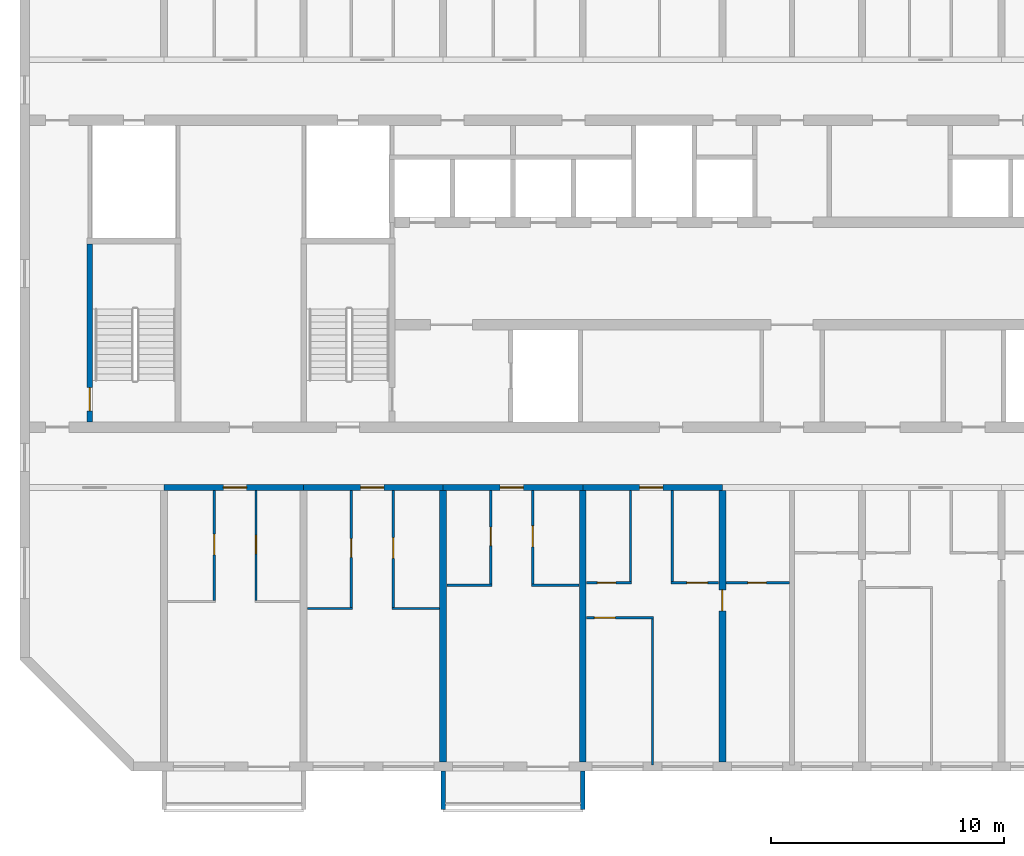
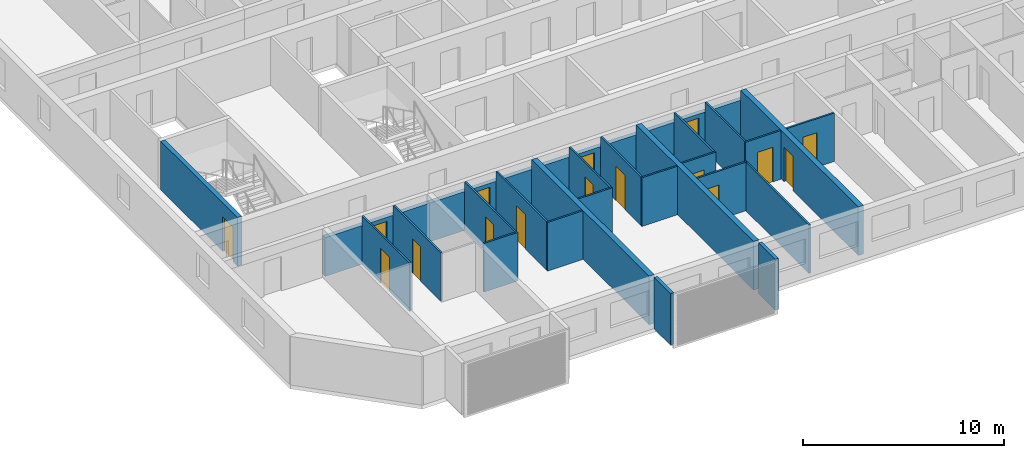
# One storey, part 2 of 26: 27 walls, 16 doors, 16 openings.
"""IFC4 building model written with IfcOpenShell, lengths in metres."""

from ifc_helpers import new_model, si_unit, direction, frame, frame_2d, origin, place, context, subcontext, project, spatial, polyline, rectangle, outline, extrude, source, transform, mapped, material, layer, layer_set, type_object, element, fill, save


model = new_model("IFC4")

# Units and contexts
model_context = context("Model", 3, precision=1e-05, world=origin(), true_north=direction((0.0, 1.0)))
body_context = subcontext(model_context, "Body", "Model", "MODEL_VIEW")
ifc_project = project(units=[si_unit("LENGTHUNIT", "METRE"), si_unit("AREAUNIT", "SQUARE_METRE"), si_unit("VOLUMEUNIT", "CUBIC_METRE"), si_unit("PLANEANGLEUNIT", "RADIAN"), si_unit("MASSUNIT", "GRAM", prefix="KILO")], contexts=[model_context])

# Site, building, storey
site_placement = place(None, origin())
site = spatial("IfcSite", under=ifc_project, at=site_placement, CompositionType="ELEMENT")
building_placement = place(site_placement, origin())
building = spatial("IfcBuilding", under=site, at=building_placement, Name="Poui Terraces", CompositionType="ELEMENT")
storey_placement = place(building_placement, frame((0.0, 0.0, 162.0)))
storey = spatial("IfcBuildingStorey", under=building, at=storey_placement, Name="L45", CompositionType="ELEMENT", Elevation=162.0)

# Wall, opening, door
ifc_material_1 = material(Name="Concrete 65 MPa", Category="concrete")
ifc_layer_1 = layer(ifc_material_1, 0.25)
ifc_layer_set_1 = layer_set([ifc_layer_1], Name="Concrete 65 MPa")
wall_type_1 = type_object("IfcWallType", Name="CORRIDOR WALL 250 65MPa", PredefinedType="SHEAR", material=ifc_layer_set_1)
wall_1_placement = place(storey_placement, frame((24.0, 12.0, 0.0), z_axis=(0.0, 0.0, 1.0), x_axis=(1.0, 0.0, 0.0)))
wall_1 = element("IfcWall", 1, at=wall_1_placement, inside=storey, type_object=wall_type_1, Name="CORRIDOR WALL LINE B BAY 2", PredefinedType="SHEAR", context=body_context, shape_type="SweptSolid", body=[
    extrude(rectangle(XDim=6.0, YDim=0.25, at=frame_2d((3.0, 0.0))), origin(), (0.0, 0.0, 1.0), 2.35009765625),
])
opening_1_placement = place(wall_1_placement, frame((2.550048828125, 0.0, 0.0)))
opening_1 = element("IfcOpeningElement", 2, at=opening_1_placement, cuts=wall_1, Name="Opening FD30S", PredefinedType="OPENING", context=body_context, shape_type="SweptSolid", body=[
    extrude(rectangle(XDim=1.0, YDim=2.10009765625, at=frame_2d((0.5, 1.050048828125))), frame((0.0, 0.135009765625, 0.0), z_axis=(0.0, -1.0, 0.0), x_axis=(1.0, 0.0, 0.0)), (0.0, 0.0, 1.0), 0.27001953125),
])
ifc_material_2 = material(Name="Steel fire door", Category="steel")
door_type_1 = type_object("IfcDoorType", Name="FLAT ENTRANCE DOOR 1000 X 2100", OperationType="NOTDEFINED", PredefinedType="DOOR", material=ifc_material_2)
door_1_placement = place(opening_1_placement, frame((1.0, 0.0, 0.0), z_axis=(0.0, 0.0, 1.0), x_axis=(-1.0, 0.0, 0.0)))
door_1 = element("IfcDoor", 3, at=door_1_placement, inside=storey, type_object=door_type_1, Name="FLAT ENTRANCE DOOR 062", OperationType="SINGLE_SWING_LEFT", OverallHeight=2.10009765625, OverallWidth=1.0, PredefinedType="DOOR", context=body_context, shape_type="SweptSolid", body=[
    extrude(rectangle(XDim=1.0, YDim=2.10009765625, at=frame_2d((0.5, 1.050048828125))), frame((0.0, 0.02490234375, 0.0), z_axis=(0.0, -1.0, 0.0), x_axis=(1.0, 0.0, 0.0)), (0.0, 0.0, 1.0), 0.050048828125),
])
fill(opening_1, door_1)

wall_2_placement = place(storey_placement, frame((30.0, 12.0, 0.0), z_axis=(0.0, 0.0, 1.0), x_axis=(1.0, 0.0, 0.0)))
wall_2 = element("IfcWall", 4, at=wall_2_placement, inside=storey, type_object=wall_type_1, Name="CORRIDOR WALL LINE B BAY 3", PredefinedType="SHEAR", context=body_context, shape_type="SweptSolid", body=[
    extrude(rectangle(XDim=6.0, YDim=0.25, at=frame_2d((3.0, 0.0))), origin(), (0.0, 0.0, 1.0), 2.35009765625),
])
opening_2_placement = place(wall_2_placement, frame((2.449951171875, 0.0, 0.0)))
opening_2 = element("IfcOpeningElement", 5, at=opening_2_placement, cuts=wall_2, Name="Opening FD30S", PredefinedType="OPENING", context=body_context, shape_type="SweptSolid", body=[
    extrude(rectangle(XDim=1.0, YDim=2.10009765625, at=frame_2d((0.5, 1.050048828125))), frame((0.0, 0.135009765625, 0.0), z_axis=(0.0, -1.0, 0.0), x_axis=(1.0, 0.0, 0.0)), (0.0, 0.0, 1.0), 0.27001953125),
])
door_2_placement = place(opening_2_placement, frame((1.0, 0.0, 0.0), z_axis=(0.0, 0.0, 1.0), x_axis=(-1.0, 0.0, 0.0)))
door_2 = element("IfcDoor", 6, at=door_2_placement, inside=storey, type_object=door_type_1, Name="FLAT ENTRANCE DOOR 065", OperationType="SINGLE_SWING_RIGHT", OverallHeight=2.10009765625, OverallWidth=1.0, PredefinedType="DOOR", context=body_context, shape_type="SweptSolid", body=[
    extrude(rectangle(XDim=1.0, YDim=2.10009765625, at=frame_2d((0.5, 1.050048828125))), frame((0.0, 0.02490234375, 0.0), z_axis=(0.0, -1.0, 0.0), x_axis=(1.0, 0.0, 0.0)), (0.0, 0.0, 1.0), 0.050048828125),
])
fill(opening_2, door_2)

wall_3_placement = place(storey_placement, frame((36.0, 12.0, 0.0), z_axis=(0.0, 0.0, 1.0), x_axis=(1.0, 0.0, 0.0)))
wall_3 = element("IfcWall", 7, at=wall_3_placement, inside=storey, type_object=wall_type_1, Name="CORRIDOR WALL LINE B BAY 4", PredefinedType="SHEAR", context=body_context, shape_type="SweptSolid", body=[
    extrude(rectangle(XDim=6.0, YDim=0.25, at=frame_2d((3.0, 0.0))), origin(), (0.0, 0.0, 1.0), 2.35009765625),
])
opening_3_placement = place(wall_3_placement, frame((2.449951171875, 0.0, 0.0)))
opening_3 = element("IfcOpeningElement", 8, at=opening_3_placement, cuts=wall_3, Name="Opening FD30S", PredefinedType="OPENING", context=body_context, shape_type="SweptSolid", body=[
    extrude(rectangle(XDim=1.0, YDim=2.10009765625, at=frame_2d((0.5, 1.050048828125))), frame((0.0, 0.135009765625, 0.0), z_axis=(0.0, -1.0, 0.0), x_axis=(1.0, 0.0, 0.0)), (0.0, 0.0, 1.0), 0.27001953125),
])
door_3_placement = place(opening_3_placement, frame((1.0, 0.0, 0.0), z_axis=(0.0, 0.0, 1.0), x_axis=(-1.0, 0.0, 0.0)))
door_3 = element("IfcDoor", 9, at=door_3_placement, inside=storey, type_object=door_type_1, Name="FLAT ENTRANCE DOOR 068", OperationType="SINGLE_SWING_RIGHT", OverallHeight=2.10009765625, OverallWidth=1.0, PredefinedType="DOOR", context=body_context, shape_type="SweptSolid", body=[
    extrude(rectangle(XDim=1.0, YDim=2.10009765625, at=frame_2d((0.5, 1.050048828125))), frame((0.0, 0.02490234375, 0.0), z_axis=(0.0, -1.0, 0.0), x_axis=(1.0, 0.0, 0.0)), (0.0, 0.0, 1.0), 0.050048828125),
])
fill(opening_3, door_3)

wall_4_placement = place(storey_placement, frame((42.0, 12.0, 0.0), z_axis=(0.0, 0.0, 1.0), x_axis=(1.0, 0.0, 0.0)))
wall_4 = element("IfcWall", 10, at=wall_4_placement, inside=storey, type_object=wall_type_1, Name="CORRIDOR WALL LINE B BAY 5", PredefinedType="SHEAR", context=body_context, shape_type="SweptSolid", body=[
    extrude(rectangle(XDim=6.0, YDim=0.25, at=frame_2d((3.0, 0.0))), origin(), (0.0, 0.0, 1.0), 2.35009765625),
])
opening_4_placement = place(wall_4_placement, frame((2.449951171875, 0.0, 0.0)))
opening_4 = element("IfcOpeningElement", 11, at=opening_4_placement, cuts=wall_4, Name="Opening FD30S", PredefinedType="OPENING", context=body_context, shape_type="SweptSolid", body=[
    extrude(rectangle(XDim=1.0, YDim=2.10009765625, at=frame_2d((0.5, 1.050048828125))), frame((0.0, 0.135009765625, 0.0), z_axis=(0.0, -1.0, 0.0), x_axis=(1.0, 0.0, 0.0)), (0.0, 0.0, 1.0), 0.27001953125),
])
door_4_placement = place(opening_4_placement, frame((1.0, 0.0, 0.0), z_axis=(0.0, 0.0, 1.0), x_axis=(-1.0, 0.0, 0.0)))
door_4 = element("IfcDoor", 12, at=door_4_placement, inside=storey, type_object=door_type_1, Name="FLAT ENTRANCE DOOR 073", OperationType="SINGLE_SWING_RIGHT", OverallHeight=2.10009765625, OverallWidth=1.0, PredefinedType="DOOR", context=body_context, shape_type="SweptSolid", body=[
    extrude(rectangle(XDim=1.0, YDim=2.10009765625, at=frame_2d((0.5, 1.050048828125))), frame((0.0, 0.02490234375, 0.0), z_axis=(0.0, -1.0, 0.0), x_axis=(1.0, 0.0, 0.0)), (0.0, 0.0, 1.0), 0.050048828125),
])
fill(opening_4, door_4)

# Walls
ifc_layer_2 = layer(ifc_material_1, 0.300048828125)
ifc_layer_set_2 = layer_set([ifc_layer_2], Name="Concrete 65 MPa")
wall_type_2 = type_object("IfcWallType", Name="CROSS WALL 300 65MPa", PredefinedType="SHEAR", material=ifc_layer_set_2)
for number, where, z_axis, x_axis, name in (
    (13, (36.0, 0.199951171875, 0.0), (0.0, 0.0, 1.0), (0.0, 1.0, 0.0), "CROSS WALL LINE 7 SOUTH"),
    (14, (42.0, 0.199951171875, 0.0), (0.0, 0.0, 1.0), (0.0, 1.0, 0.0), "CROSS WALL LINE 8 SOUTH"),
):
    element("IfcWall", number, at=place(storey_placement, frame(where, z_axis=z_axis, x_axis=x_axis)), inside=storey, type_object=wall_type_2, Name=name, PredefinedType="SHEAR", context=body_context, shape_type="SweptSolid", body=[
        extrude(rectangle(XDim=11.675048828125, YDim=0.300048828125, at=frame_2d((5.83740234375, 0.0))), origin(), (0.0, 0.0, 1.0), 2.949951171875),
    ])

# Wall, opening, door
wall_5_placement = place(storey_placement, frame((48.0, 0.199951171875, 0.0), z_axis=(0.0, 0.0, 1.0), x_axis=(0.0, 1.0, 0.0)))
wall_5 = element("IfcWall", 15, at=wall_5_placement, inside=storey, type_object=wall_type_2, Name="CROSS WALL LINE 9 SOUTH", PredefinedType="SHEAR", context=body_context, shape_type="SweptSolid", body=[
    extrude(rectangle(XDim=11.675048828125, YDim=0.300048828125, at=frame_2d((5.83740234375, 0.0))), origin(), (0.0, 0.0, 1.0), 2.949951171875),
])
opening_5_placement = place(wall_5_placement, frame((6.5, 0.0, 0.0)))
opening_5 = element("IfcOpeningElement", 16, at=opening_5_placement, cuts=wall_5, Name="Opening D90", PredefinedType="OPENING", context=body_context, shape_type="SweptSolid", body=[
    extrude(rectangle(XDim=0.89990234375, YDim=2.10009765625, at=frame_2d((0.449951171875, 1.050048828125))), frame((0.0, 0.16015625, 0.0), z_axis=(0.0, -1.0, 0.0), x_axis=(1.0, 0.0, 0.0)), (0.0, 0.0, 1.0), 0.320068359375),
])
ifc_material_3 = material(Name="Solid core timber door", Category="wood")
door_type_2 = type_object("IfcDoorType", Name="INTERNAL DOOR 900 X 2100", OperationType="NOTDEFINED", PredefinedType="DOOR", material=ifc_material_3)
door_5_placement = place(opening_5_placement, frame((0.89990234375, 0.0, 0.0), z_axis=(0.0, 0.0, 1.0), x_axis=(-1.0, 0.0, 0.0)))
door_5 = element("IfcDoor", 17, at=door_5_placement, inside=storey, type_object=door_type_2, Name="INTERNAL DOOR 075", OperationType="SINGLE_SWING_LEFT", OverallHeight=2.10009765625, OverallWidth=0.89990234375, PredefinedType="DOOR", context=body_context, shape_type="SweptSolid", body=[
    extrude(rectangle(XDim=0.89990234375, YDim=2.10009765625, at=frame_2d((0.449951171875, 1.050048828125))), frame((0.0, 0.02490234375, 0.0), z_axis=(0.0, -1.0, 0.0), x_axis=(1.0, 0.0, 0.0)), (0.0, 0.0, 1.0), 0.050048828125),
])
fill(opening_5, door_5)

ifc_material_4 = material(Name="Plasterboard partition")
ifc_layer_3 = layer(ifc_material_4, 0.10009765625)
ifc_layer_set_3 = layer_set([ifc_layer_3], Name="Plasterboard partition")
wall_type_3 = type_object("IfcWallType", Name="FLAT PARTITION 100", PredefinedType="PARTITIONING", material=ifc_layer_set_3)
wall_6_placement = place(storey_placement, frame((42.159912109375, 6.39990234375, 0.0), z_axis=(0.0, 0.0, 1.0), x_axis=(1.0, 0.0, 0.0)))
wall_6 = element("IfcWall", 18, at=wall_6_placement, inside=storey, type_object=wall_type_3, Name="FLAT PARTITION 100", PredefinedType="PARTITIONING", context=body_context, shape_type="SweptSolid", body=[
    extrude(rectangle(XDim=2.89013671875, YDim=0.10009765625, at=frame_2d((1.445068359375, 0.0))), origin(), (0.0, 0.0, 1.0), 2.949951171875),
])
opening_6_placement = place(wall_6_placement, frame((0.340087890625, 0.0, 0.0)))
opening_6 = element("IfcOpeningElement", 19, at=opening_6_placement, cuts=wall_6, Name="Opening D90", PredefinedType="OPENING", context=body_context, shape_type="SweptSolid", body=[
    extrude(rectangle(XDim=0.89990234375, YDim=2.10009765625, at=frame_2d((0.449951171875, 1.050048828125))), frame((0.0, 0.06005859375, 0.0), z_axis=(0.0, -1.0, 0.0), x_axis=(1.0, 0.0, 0.0)), (0.0, 0.0, 1.0), 0.1201171875),
])
door_6_placement = place(opening_6_placement, origin())
door_6 = element("IfcDoor", 20, at=door_6_placement, inside=storey, type_object=door_type_2, Name="INTERNAL DOOR 071", OperationType="SINGLE_SWING_RIGHT", OverallHeight=2.10009765625, OverallWidth=0.89990234375, PredefinedType="DOOR", context=body_context, shape_type="SweptSolid", body=[
    extrude(rectangle(XDim=0.89990234375, YDim=2.10009765625, at=frame_2d((0.449951171875, 1.050048828125))), frame((0.0, 0.02490234375, 0.0), z_axis=(0.0, -1.0, 0.0), x_axis=(1.0, 0.0, 0.0)), (0.0, 0.0, 1.0), 0.050048828125),
])
fill(opening_6, door_6)

# Walls
wall_7_placement = place(storey_placement, frame((30.159912109375, 6.800048828125, 0.0), z_axis=(0.0, 0.0, 1.0), x_axis=(1.0, 0.0, 0.0)))
element("IfcWall", 21, at=wall_7_placement, inside=storey, type_object=wall_type_3, Name="FLAT PARTITION 100", PredefinedType="PARTITIONING", context=body_context, shape_type="SweptSolid", body=[
    extrude(rectangle(XDim=1.940185546875, YDim=0.10009765625, at=frame_2d((0.97021484375, 0.0))), origin(), (0.0, 0.0, 1.0), 2.949951171875),
])
wall_8_placement = place(storey_placement, frame((33.800048828125, 6.800048828125, 0.0), z_axis=(0.0, 0.0, 1.0), x_axis=(1.0, 0.0, 0.0)))
element("IfcWall", 22, at=wall_8_placement, inside=storey, type_object=wall_type_3, Name="FLAT PARTITION 100", PredefinedType="PARTITIONING", context=body_context, shape_type="SweptSolid", body=[
    extrude(rectangle(XDim=2.0400390625, YDim=0.10009765625, at=frame_2d((1.02001953125, 0.0))), origin(), (0.0, 0.0, 1.0), 2.949951171875),
])
wall_9_placement = place(storey_placement, frame((36.159912109375, 7.800048828125, 0.0), z_axis=(0.0, 0.0, 1.0), x_axis=(1.0, 0.0, 0.0)))
element("IfcWall", 23, at=wall_9_placement, inside=storey, type_object=wall_type_3, Name="FLAT PARTITION 100", PredefinedType="PARTITIONING", context=body_context, shape_type="SweptSolid", body=[
    extrude(rectangle(XDim=1.940185546875, YDim=0.10009765625, at=frame_2d((0.97021484375, 0.0))), origin(), (0.0, 0.0, 1.0), 2.949951171875),
])
wall_10_placement = place(storey_placement, frame((39.800048828125, 7.800048828125, 0.0), z_axis=(0.0, 0.0, 1.0), x_axis=(1.0, 0.0, 0.0)))
element("IfcWall", 24, at=wall_10_placement, inside=storey, type_object=wall_type_3, Name="FLAT PARTITION 100", PredefinedType="PARTITIONING", context=body_context, shape_type="SweptSolid", body=[
    extrude(rectangle(XDim=2.0400390625, YDim=0.10009765625, at=frame_2d((1.02001953125, 0.0))), origin(), (0.0, 0.0, 1.0), 2.949951171875),
])

# Wall, opening, door
wall_11_placement = place(storey_placement, frame((42.159912109375, 7.89990234375, 0.0), z_axis=(0.0, 0.0, 1.0), x_axis=(1.0, 0.0, 0.0)))
wall_11 = element("IfcWall", 25, at=wall_11_placement, inside=storey, type_object=wall_type_3, Name="FLAT PARTITION 100", PredefinedType="PARTITIONING", context=body_context, shape_type="SweptSolid", body=[
    extrude(rectangle(XDim=1.940185546875, YDim=0.10009765625, at=frame_2d((0.97021484375, 0.0))), origin(), (0.0, 0.0, 1.0), 2.949951171875),
])
opening_7_placement = place(wall_11_placement, frame((0.465087890625, 0.0, 0.0)))
opening_7 = element("IfcOpeningElement", 26, at=opening_7_placement, cuts=wall_11, Name="Opening D80", PredefinedType="OPENING", context=body_context, shape_type="SweptSolid", body=[
    extrude(rectangle(XDim=0.800048828125, YDim=2.10009765625, at=frame_2d((0.39990234375, 1.050048828125))), frame((0.0, 0.06005859375, 0.0), z_axis=(0.0, -1.0, 0.0), x_axis=(1.0, 0.0, 0.0)), (0.0, 0.0, 1.0), 0.1201171875),
])
door_type_3 = type_object("IfcDoorType", Name="BATHROOM, LAUNDRY AND STORE DOOR 800 X 2100", OperationType="NOTDEFINED", PredefinedType="DOOR", material=ifc_material_3)
door_7_placement = place(opening_7_placement, origin())
door_7 = element("IfcDoor", 27, at=door_7_placement, inside=storey, type_object=door_type_3, Name="BATHROOM, LAUNDRY AND STORE DOOR 072", OperationType="SINGLE_SWING_LEFT", OverallHeight=2.10009765625, OverallWidth=0.800048828125, PredefinedType="DOOR", context=body_context, shape_type="SweptSolid", body=[
    extrude(rectangle(XDim=0.800048828125, YDim=2.10009765625, at=frame_2d((0.39990234375, 1.050048828125))), frame((0.0, 0.02490234375, 0.0), z_axis=(0.0, -1.0, 0.0), x_axis=(1.0, 0.0, 0.0)), (0.0, 0.0, 1.0), 0.050048828125),
])
fill(opening_7, door_7)

wall_12_placement = place(storey_placement, frame((45.800048828125, 7.89990234375, 0.0), z_axis=(0.0, 0.0, 1.0), x_axis=(1.0, 0.0, 0.0)))
wall_12 = element("IfcWall", 28, at=wall_12_placement, inside=storey, type_object=wall_type_3, Name="FLAT PARTITION 100", PredefinedType="PARTITIONING", context=body_context, shape_type="SweptSolid", body=[
    extrude(rectangle(XDim=2.0400390625, YDim=0.10009765625, at=frame_2d((1.02001953125, 0.0))), origin(), (0.0, 0.0, 1.0), 2.949951171875),
])
opening_8_placement = place(wall_12_placement, frame((0.675048828125, 0.0, 0.0)))
opening_8 = element("IfcOpeningElement", 29, at=opening_8_placement, cuts=wall_12, Name="Opening D90", PredefinedType="OPENING", context=body_context, shape_type="SweptSolid", body=[
    extrude(rectangle(XDim=0.89990234375, YDim=2.10009765625, at=frame_2d((0.449951171875, 1.050048828125))), frame((0.0, 0.06005859375, 0.0), z_axis=(0.0, -1.0, 0.0), x_axis=(1.0, 0.0, 0.0)), (0.0, 0.0, 1.0), 0.1201171875),
])
door_8_placement = place(opening_8_placement, origin())
door_8 = element("IfcDoor", 30, at=door_8_placement, inside=storey, type_object=door_type_2, Name="INTERNAL DOOR 074", OperationType="SINGLE_SWING_RIGHT", OverallHeight=2.10009765625, OverallWidth=0.89990234375, PredefinedType="DOOR", context=body_context, shape_type="SweptSolid", body=[
    extrude(rectangle(XDim=0.89990234375, YDim=2.10009765625, at=frame_2d((0.449951171875, 1.050048828125))), frame((0.0, 0.02490234375, 0.0), z_axis=(0.0, -1.0, 0.0), x_axis=(1.0, 0.0, 0.0)), (0.0, 0.0, 1.0), 0.050048828125),
])
fill(opening_8, door_8)

wall_13_placement = place(storey_placement, frame((48.159912109375, 7.89990234375, 0.0), z_axis=(0.0, 0.0, 1.0), x_axis=(1.0, 0.0, 0.0)))
wall_13 = element("IfcWall", 31, at=wall_13_placement, inside=storey, type_object=wall_type_3, Name="FLAT PARTITION 100", PredefinedType="PARTITIONING", context=body_context, shape_type="SweptSolid", body=[
    extrude(rectangle(XDim=2.739990234375, YDim=0.10009765625, at=frame_2d((1.3701171875, 0.0))), origin(), (0.0, 0.0, 1.0), 2.949951171875),
])
opening_9_placement = place(wall_13_placement, frame((0.93994140625, 0.0, 0.0)))
opening_9 = element("IfcOpeningElement", 32, at=opening_9_placement, cuts=wall_13, Name="Opening D80", PredefinedType="OPENING", context=body_context, shape_type="SweptSolid", body=[
    extrude(rectangle(XDim=0.800048828125, YDim=2.10009765625, at=frame_2d((0.39990234375, 1.050048828125))), frame((0.0, 0.06005859375, 0.0), z_axis=(0.0, -1.0, 0.0), x_axis=(1.0, 0.0, 0.0)), (0.0, 0.0, 1.0), 0.1201171875),
])
door_9_placement = place(opening_9_placement, origin())
door_9 = element("IfcDoor", 33, at=door_9_placement, inside=storey, type_object=door_type_3, Name="BATHROOM, LAUNDRY AND STORE DOOR 070", OperationType="SINGLE_SWING_LEFT", OverallHeight=2.10009765625, OverallWidth=0.800048828125, PredefinedType="DOOR", context=body_context, shape_type="SweptSolid", body=[
    extrude(rectangle(XDim=0.800048828125, YDim=2.10009765625, at=frame_2d((0.39990234375, 1.050048828125))), frame((0.0, 0.02490234375, 0.0), z_axis=(0.0, -1.0, 0.0), x_axis=(1.0, 0.0, 0.0)), (0.0, 0.0, 1.0), 0.050048828125),
])
fill(opening_9, door_9)

wall_14_placement = place(storey_placement, frame((26.14990234375, 7.14990234375, 0.0), z_axis=(0.0, 0.0, 1.0), x_axis=(0.0, 1.0, 0.0)))
wall_14 = element("IfcWall", 34, at=wall_14_placement, inside=storey, type_object=wall_type_3, Name="FLAT PARTITION 100", PredefinedType="PARTITIONING", context=body_context, shape_type="SweptSolid", body=[
    extrude(rectangle(XDim=4.715087890625, YDim=0.10009765625, at=frame_2d((2.357421875, 0.0))), origin(), (0.0, 0.0, 1.0), 2.949951171875),
])
opening_10_placement = place(wall_14_placement, frame((1.949951171875, 0.0, 0.0)))
opening_10 = element("IfcOpeningElement", 35, at=opening_10_placement, cuts=wall_14, Name="Opening D90", PredefinedType="OPENING", context=body_context, shape_type="SweptSolid", body=[
    extrude(rectangle(XDim=0.89990234375, YDim=2.10009765625, at=frame_2d((0.449951171875, 1.050048828125))), frame((0.0, 0.06005859375, 0.0), z_axis=(0.0, -1.0, 0.0), x_axis=(1.0, 0.0, 0.0)), (0.0, 0.0, 1.0), 0.1201171875),
])
door_10_placement = place(opening_10_placement, origin())
door_10 = element("IfcDoor", 36, at=door_10_placement, inside=storey, type_object=door_type_2, Name="INTERNAL DOOR 061", OperationType="SINGLE_SWING_LEFT", OverallHeight=2.10009765625, OverallWidth=0.89990234375, PredefinedType="DOOR", context=body_context, shape_type="SweptSolid", body=[
    extrude(rectangle(XDim=0.89990234375, YDim=2.10009765625, at=frame_2d((0.449951171875, 1.050048828125))), frame((0.0, 0.02490234375, 0.0), z_axis=(0.0, -1.0, 0.0), x_axis=(1.0, 0.0, 0.0)), (0.0, 0.0, 1.0), 0.050048828125),
])
fill(opening_10, door_10)

wall_15_placement = place(storey_placement, frame((27.949951171875, 7.14990234375, 0.0), z_axis=(0.0, 0.0, 1.0), x_axis=(0.0, 1.0, 0.0)))
wall_15 = element("IfcWall", 37, at=wall_15_placement, inside=storey, type_object=wall_type_3, Name="FLAT PARTITION 100", PredefinedType="PARTITIONING", context=body_context, shape_type="SweptSolid", body=[
    extrude(rectangle(XDim=4.715087890625, YDim=0.10009765625, at=frame_2d((2.357421875, 0.0))), origin(), (0.0, 0.0, 1.0), 2.949951171875),
])
opening_11_placement = place(wall_15_placement, frame((2.0, 0.0, 0.0)))
opening_11 = element("IfcOpeningElement", 38, at=opening_11_placement, cuts=wall_15, Name="Opening D80", PredefinedType="OPENING", context=body_context, shape_type="SweptSolid", body=[
    extrude(rectangle(XDim=0.800048828125, YDim=2.10009765625, at=frame_2d((0.39990234375, 1.050048828125))), frame((0.0, 0.06005859375, 0.0), z_axis=(0.0, -1.0, 0.0), x_axis=(1.0, 0.0, 0.0)), (0.0, 0.0, 1.0), 0.1201171875),
])
door_11_placement = place(opening_11_placement, frame((0.800048828125, 0.0, 0.0), z_axis=(0.0, 0.0, 1.0), x_axis=(-1.0, 0.0, 0.0)))
door_11 = element("IfcDoor", 39, at=door_11_placement, inside=storey, type_object=door_type_3, Name="BATHROOM, LAUNDRY AND STORE DOOR 063", OperationType="SINGLE_SWING_LEFT", OverallHeight=2.10009765625, OverallWidth=0.800048828125, PredefinedType="DOOR", context=body_context, shape_type="SweptSolid", body=[
    extrude(rectangle(XDim=0.800048828125, YDim=2.10009765625, at=frame_2d((0.39990234375, 1.050048828125))), frame((0.0, 0.02490234375, 0.0), z_axis=(0.0, -1.0, 0.0), x_axis=(1.0, 0.0, 0.0)), (0.0, 0.0, 1.0), 0.050048828125),
])
fill(opening_11, door_11)

wall_16_placement = place(storey_placement, frame((32.050048828125, 6.85009765625, 0.0), z_axis=(0.0, 0.0, 1.0), x_axis=(0.0, 1.0, 0.0)))
wall_16 = element("IfcWall", 40, at=wall_16_placement, inside=storey, type_object=wall_type_3, Name="FLAT PARTITION 100", PredefinedType="PARTITIONING", context=body_context, shape_type="SweptSolid", body=[
    extrude(rectangle(XDim=5.014892578125, YDim=0.10009765625, at=frame_2d((2.50732421875, 0.0))), origin(), (0.0, 0.0, 1.0), 2.949951171875),
])
opening_12_placement = place(wall_16_placement, frame((2.14990234375, 0.0, 0.0)))
opening_12 = element("IfcOpeningElement", 41, at=opening_12_placement, cuts=wall_16, Name="Opening D80", PredefinedType="OPENING", context=body_context, shape_type="SweptSolid", body=[
    extrude(rectangle(XDim=0.800048828125, YDim=2.10009765625, at=frame_2d((0.39990234375, 1.050048828125))), frame((0.0, 0.06005859375, 0.0), z_axis=(0.0, -1.0, 0.0), x_axis=(1.0, 0.0, 0.0)), (0.0, 0.0, 1.0), 0.1201171875),
])
door_12_placement = place(opening_12_placement, origin())
door_12 = element("IfcDoor", 42, at=door_12_placement, inside=storey, type_object=door_type_3, Name="BATHROOM, LAUNDRY AND STORE DOOR 064", OperationType="SINGLE_SWING_RIGHT", OverallHeight=2.10009765625, OverallWidth=0.800048828125, PredefinedType="DOOR", context=body_context, shape_type="SweptSolid", body=[
    extrude(rectangle(XDim=0.800048828125, YDim=2.10009765625, at=frame_2d((0.39990234375, 1.050048828125))), frame((0.0, 0.02490234375, 0.0), z_axis=(0.0, -1.0, 0.0), x_axis=(1.0, 0.0, 0.0)), (0.0, 0.0, 1.0), 0.050048828125),
])
fill(opening_12, door_12)

wall_17_placement = place(storey_placement, frame((33.85009765625, 6.85009765625, 0.0), z_axis=(0.0, 0.0, 1.0), x_axis=(0.0, 1.0, 0.0)))
wall_17 = element("IfcWall", 43, at=wall_17_placement, inside=storey, type_object=wall_type_3, Name="FLAT PARTITION 100", PredefinedType="PARTITIONING", context=body_context, shape_type="SweptSolid", body=[
    extrude(rectangle(XDim=5.014892578125, YDim=0.10009765625, at=frame_2d((2.50732421875, 0.0))), origin(), (0.0, 0.0, 1.0), 2.949951171875),
])
opening_13_placement = place(wall_17_placement, frame((2.10009765625, 0.0, 0.0)))
opening_13 = element("IfcOpeningElement", 44, at=opening_13_placement, cuts=wall_17, Name="Opening D90", PredefinedType="OPENING", context=body_context, shape_type="SweptSolid", body=[
    extrude(rectangle(XDim=0.89990234375, YDim=2.10009765625, at=frame_2d((0.449951171875, 1.050048828125))), frame((0.0, 0.06005859375, 0.0), z_axis=(0.0, -1.0, 0.0), x_axis=(1.0, 0.0, 0.0)), (0.0, 0.0, 1.0), 0.1201171875),
])
door_13_placement = place(opening_13_placement, frame((0.89990234375, 0.0, 0.0), z_axis=(0.0, 0.0, 1.0), x_axis=(-1.0, 0.0, 0.0)))
door_13 = element("IfcDoor", 45, at=door_13_placement, inside=storey, type_object=door_type_2, Name="INTERNAL DOOR 066", OperationType="SINGLE_SWING_RIGHT", OverallHeight=2.10009765625, OverallWidth=0.89990234375, PredefinedType="DOOR", context=body_context, shape_type="SweptSolid", body=[
    extrude(rectangle(XDim=0.89990234375, YDim=2.10009765625, at=frame_2d((0.449951171875, 1.050048828125))), frame((0.0, 0.02490234375, 0.0), z_axis=(0.0, -1.0, 0.0), x_axis=(1.0, 0.0, 0.0)), (0.0, 0.0, 1.0), 0.050048828125),
])
fill(opening_13, door_13)

wall_18_placement = place(storey_placement, frame((38.050048828125, 7.85009765625, 0.0), z_axis=(0.0, 0.0, 1.0), x_axis=(0.0, 1.0, 0.0)))
wall_18 = element("IfcWall", 46, at=wall_18_placement, inside=storey, type_object=wall_type_3, Name="FLAT PARTITION 100", PredefinedType="PARTITIONING", context=body_context, shape_type="SweptSolid", body=[
    extrude(rectangle(XDim=4.014892578125, YDim=0.10009765625, at=frame_2d((2.00732421875, 0.0))), origin(), (0.0, 0.0, 1.0), 2.949951171875),
])
opening_14_placement = place(wall_18_placement, frame((1.64990234375, 0.0, 0.0)))
opening_14 = element("IfcOpeningElement", 47, at=opening_14_placement, cuts=wall_18, Name="Opening D80", PredefinedType="OPENING", context=body_context, shape_type="SweptSolid", body=[
    extrude(rectangle(XDim=0.800048828125, YDim=2.10009765625, at=frame_2d((0.39990234375, 1.050048828125))), frame((0.0, 0.06005859375, 0.0), z_axis=(0.0, -1.0, 0.0), x_axis=(1.0, 0.0, 0.0)), (0.0, 0.0, 1.0), 0.1201171875),
])
door_14_placement = place(opening_14_placement, origin())
door_14 = element("IfcDoor", 48, at=door_14_placement, inside=storey, type_object=door_type_3, Name="BATHROOM, LAUNDRY AND STORE DOOR 067", OperationType="SINGLE_SWING_LEFT", OverallHeight=2.10009765625, OverallWidth=0.800048828125, PredefinedType="DOOR", context=body_context, shape_type="SweptSolid", body=[
    extrude(rectangle(XDim=0.800048828125, YDim=2.10009765625, at=frame_2d((0.39990234375, 1.050048828125))), frame((0.0, 0.02490234375, 0.0), z_axis=(0.0, -1.0, 0.0), x_axis=(1.0, 0.0, 0.0)), (0.0, 0.0, 1.0), 0.050048828125),
])
fill(opening_14, door_14)

wall_19_placement = place(storey_placement, frame((39.85009765625, 7.85009765625, 0.0), z_axis=(0.0, 0.0, 1.0), x_axis=(0.0, 1.0, 0.0)))
wall_19 = element("IfcWall", 49, at=wall_19_placement, inside=storey, type_object=wall_type_3, Name="FLAT PARTITION 100", PredefinedType="PARTITIONING", context=body_context, shape_type="SweptSolid", body=[
    extrude(rectangle(XDim=4.014892578125, YDim=0.10009765625, at=frame_2d((2.00732421875, 0.0))), origin(), (0.0, 0.0, 1.0), 2.949951171875),
])
opening_15_placement = place(wall_19_placement, frame((1.60009765625, 0.0, 0.0)))
opening_15 = element("IfcOpeningElement", 50, at=opening_15_placement, cuts=wall_19, Name="Opening D90", PredefinedType="OPENING", context=body_context, shape_type="SweptSolid", body=[
    extrude(rectangle(XDim=0.89990234375, YDim=2.10009765625, at=frame_2d((0.449951171875, 1.050048828125))), frame((0.0, 0.06005859375, 0.0), z_axis=(0.0, -1.0, 0.0), x_axis=(1.0, 0.0, 0.0)), (0.0, 0.0, 1.0), 0.1201171875),
])
door_15_placement = place(opening_15_placement, frame((0.89990234375, 0.0, 0.0), z_axis=(0.0, 0.0, 1.0), x_axis=(-1.0, 0.0, 0.0)))
door_15 = element("IfcDoor", 51, at=door_15_placement, inside=storey, type_object=door_type_2, Name="INTERNAL DOOR 069", OperationType="SINGLE_SWING_LEFT", OverallHeight=2.10009765625, OverallWidth=0.89990234375, PredefinedType="DOOR", context=body_context, shape_type="SweptSolid", body=[
    extrude(rectangle(XDim=0.89990234375, YDim=2.10009765625, at=frame_2d((0.449951171875, 1.050048828125))), frame((0.0, 0.02490234375, 0.0), z_axis=(0.0, -1.0, 0.0), x_axis=(1.0, 0.0, 0.0)), (0.0, 0.0, 1.0), 0.050048828125),
])
fill(opening_15, door_15)

# Walls
wall_20_placement = place(storey_placement, frame((44.050048828125, 7.949951171875, 0.0), z_axis=(0.0, 0.0, 1.0), x_axis=(0.0, 1.0, 0.0)))
element("IfcWall", 52, at=wall_20_placement, inside=storey, type_object=wall_type_3, Name="FLAT PARTITION 100", PredefinedType="PARTITIONING", context=body_context, shape_type="SweptSolid", body=[
    extrude(rectangle(XDim=3.9150390625, YDim=0.10009765625, at=frame_2d((1.95751953125, 0.0))), origin(), (0.0, 0.0, 1.0), 2.949951171875),
])
wall_21_placement = place(storey_placement, frame((45.0, 0.06005859375, 0.0), z_axis=(0.0, 0.0, 1.0), x_axis=(0.0, 1.0, 0.0)))
element("IfcWall", 53, at=wall_21_placement, inside=storey, type_object=wall_type_3, Name="FLAT PARTITION 100", PredefinedType="PARTITIONING", context=body_context, shape_type="SweptSolid", body=[
    extrude(rectangle(XDim=6.2900390625, YDim=0.10009765625, at=frame_2d((3.14501953125, 0.0))), origin(), (0.0, 0.0, 1.0), 2.949951171875),
])
wall_22_placement = place(storey_placement, frame((45.85009765625, 7.949951171875, 0.0), z_axis=(0.0, 0.0, 1.0), x_axis=(0.0, 1.0, 0.0)))
element("IfcWall", 54, at=wall_22_placement, inside=storey, type_object=wall_type_3, Name="FLAT PARTITION 100", PredefinedType="PARTITIONING", context=body_context, shape_type="SweptSolid", body=[
    extrude(rectangle(XDim=3.9150390625, YDim=0.10009765625, at=frame_2d((1.95751953125, 0.0))), origin(), (0.0, 0.0, 1.0), 2.949951171875),
])

# Wall, opening, door
ifc_layer_4 = layer(ifc_material_1, 0.25)
ifc_layer_set_4 = layer_set([ifc_layer_4], Name="Concrete 65 MPa")
wall_type_4 = type_object("IfcWallType", Name="STAIR CORE WALL 250 65 MPA", PredefinedType="SOLIDWALL", material=ifc_layer_set_4)
wall_23_placement = place(storey_placement, frame((20.800048828125, 14.824951171875, 0.0), z_axis=(0.0, 0.0, 1.0), x_axis=(0.0, 1.0, 0.0)))
wall_23 = element("IfcWall", 55, at=wall_23_placement, inside=storey, type_object=wall_type_4, Name="STAIR CORE WALL", PredefinedType="SOLIDWALL", context=body_context, shape_type="SweptSolid", body=[
    extrude(rectangle(XDim=7.650146484375, YDim=0.25, at=frame_2d((3.8251953125, 0.0))), origin(), (0.0, 0.0, 1.0), 2.949951171875),
])
opening_16_placement = place(wall_23_placement, frame((0.47509765625, 0.0, 0.0)))
opening_16 = element("IfcOpeningElement", 56, at=opening_16_placement, cuts=wall_23, Name="Opening FD60S", PredefinedType="OPENING", context=body_context, shape_type="SweptSolid", body=[
    extrude(rectangle(XDim=1.0, YDim=2.10009765625, at=frame_2d((0.5, 1.050048828125))), frame((0.0, 0.135009765625, 0.0), z_axis=(0.0, -1.0, 0.0), x_axis=(1.0, 0.0, 0.0)), (0.0, 0.0, 1.0), 0.27001953125),
])
door_type_4 = type_object("IfcDoorType", Name="STAIR DOOR 1000 X 2100", OperationType="NOTDEFINED", PredefinedType="DOOR", material=ifc_material_2)
door_16_placement = place(opening_16_placement, frame((1.0, 0.0, 0.0), z_axis=(0.0, 0.0, 1.0), x_axis=(-1.0, 0.0, 0.0)))
door_16 = element("IfcDoor", 57, at=door_16_placement, inside=storey, type_object=door_type_4, Name="STAIR DOOR 111", OperationType="SINGLE_SWING_RIGHT", OverallHeight=2.10009765625, OverallWidth=1.0, PredefinedType="DOOR", context=body_context, shape_type="SweptSolid", body=[
    extrude(rectangle(XDim=1.0, YDim=2.10009765625, at=frame_2d((0.5, 1.050048828125))), frame((0.0, 0.02490234375, 0.0), z_axis=(0.0, -1.0, 0.0), x_axis=(1.0, 0.0, 0.0)), (0.0, 0.0, 1.0), 0.050048828125),
])
fill(opening_16, door_16)

# Walls
ifc_material_5 = material(Name="Precast concrete 40 MPa", Category="concrete")
ifc_layer_5 = layer(ifc_material_5, 0.199951171875)
ifc_layer_set_5 = layer_set([ifc_layer_5], Name="Precast concrete 40 MPa")
wall_type_5 = type_object("IfcWallType", Name="REAR FIN 200", PredefinedType="STANDARD", material=ifc_layer_set_5)
shared_shape = source(origin(), body_context, "Body", "SweptSolid", [
    extrude(outline(polyline([(0.0, 0.0), (0.2001953125, 0.0), (0.2001953125, 1.650146484375), (0.0, 1.650146484375), (0.0, 0.0)])), origin(), (0.0, 0.0, 1.0), 3.10009765625),
])
for number, where, name in (
    (58, (35.89990234375, -1.85009765625, 0.0), "REAR FIN"),
    (59, (41.89990234375, -1.85009765625, 0.0), "REAR FIN"),
):
    element("IfcWall", number, at=place(storey_placement, frame(where)), inside=storey, type_object=wall_type_5, Name=name, PredefinedType="STANDARD", context=body_context, shape_type="MappedRepresentation", body=[
        mapped(shared_shape, transform((0.0, 0.0, 0.0))),
    ])

save(model, "model.ifc")
